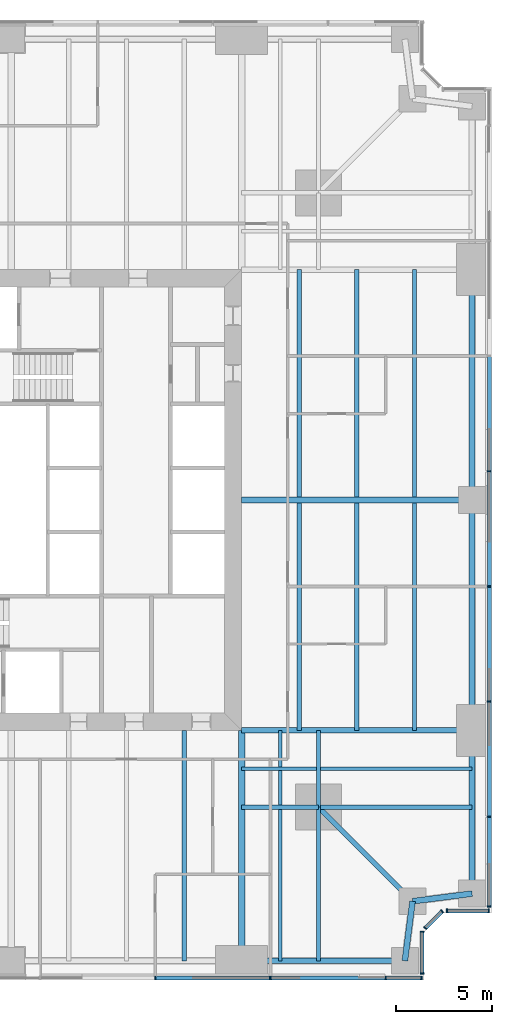
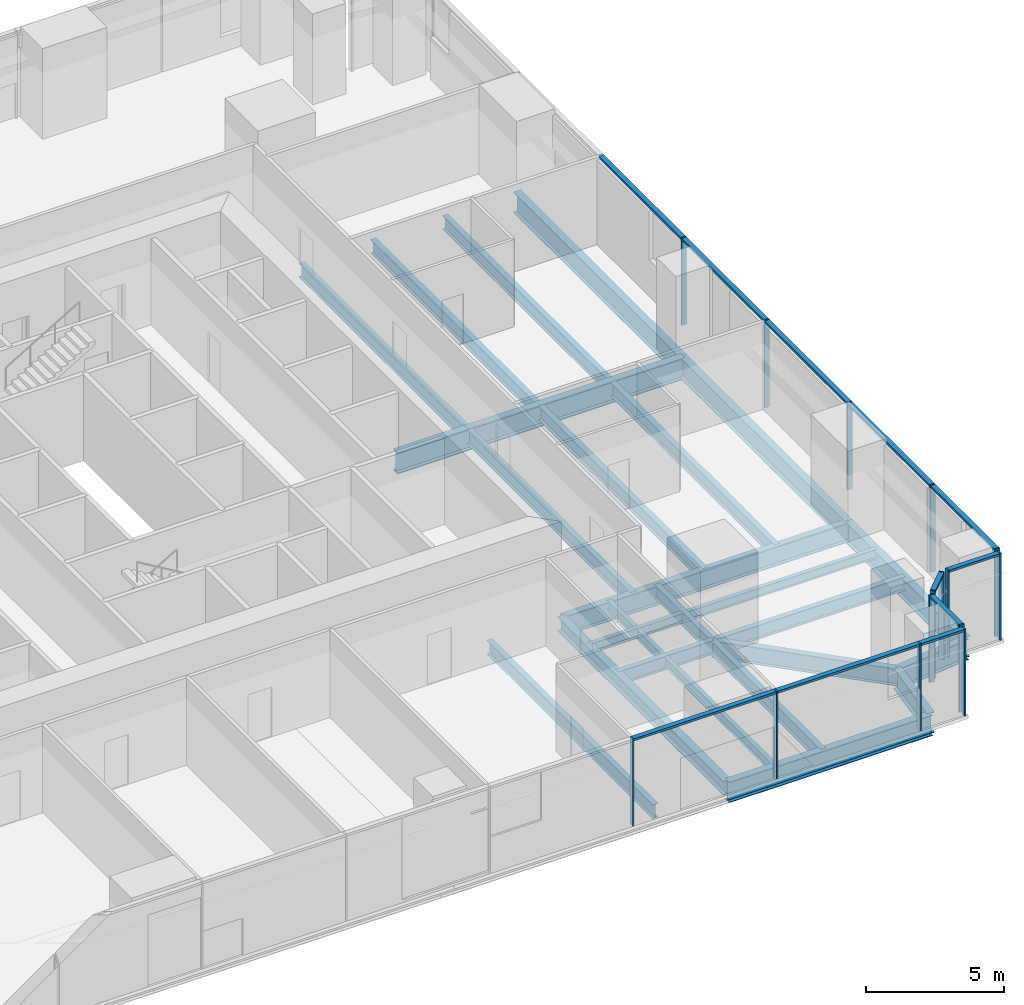
# One storey, part 5 of 14: 26 beams, 26 members, 5 elements without a shape of their own.
"""IFC4 building model written with IfcOpenShell, lengths in metres."""

from ifc_helpers import new_model, si_unit, direction, frame, origin, origin_2d, place, context, subcontext, project, spatial, rectangle, i_section, extrude, material, material_profile, profile_set, type_object, element, aggregate, save


model = new_model("IFC4")

# Units and contexts
model_context = context("Model", 3, precision=1e-05, world=origin(), true_north=direction((0.0, 1.0)))
body_context = subcontext(model_context, "Body", "Model", "MODEL_VIEW")
ifc_project = project(units=[si_unit("LENGTHUNIT", "METRE"), si_unit("AREAUNIT", "SQUARE_METRE"), si_unit("VOLUMEUNIT", "CUBIC_METRE"), si_unit("PLANEANGLEUNIT", "RADIAN"), si_unit("MASSUNIT", "GRAM", prefix="KILO")], contexts=[model_context])

# Site, building, storey
site_placement = place(None, origin())
site = spatial("IfcSite", under=ifc_project, at=site_placement, CompositionType="ELEMENT")
building_placement = place(site_placement, origin())
building = spatial("IfcBuilding", under=site, at=building_placement, Name="Fenwick Lantern Interchange", CompositionType="ELEMENT")
storey_placement = place(building_placement, frame((0.0, 0.0, 71.0)))
storey = spatial("IfcBuildingStorey", under=building, at=storey_placement, Name="L16", CompositionType="ELEMENT", Elevation=71.0)

# Beams
ifc_material_1 = material(Name="Steel ASTM A992 Grade 50", Category="steel")
ifc_material_profile_1 = material_profile(ifc_material_1, i_section(OverallWidth=0.3046875, OverallDepth=0.911865234375, WebThickness=0.015869140625, FlangeThickness=0.02392578125, at=origin_2d()), Name="W36X150")
ifc_profile_set_1 = profile_set([ifc_material_profile_1], Name="Steel ASTM A992 Grade 50")
beam_type_1 = type_object("IfcBeamType", Name="EDGE BEAM W36X150", PredefinedType="SPANDREL", material=ifc_profile_set_1)
beam_1_placement = place(storey_placement, frame((37.0, 1.0, -0.60595703125), z_axis=(1.0, 0.0, 0.0), x_axis=(0.0, 1.0, 0.0)))
element("IfcBeam", 1, at=beam_1_placement, inside=storey, type_object=beam_type_1, Name="L16/FR/S/EB4", PredefinedType="SPANDREL", context=body_context, shape_type="SweptSolid", body=[
    extrude(i_section(OverallWidth=0.3046875, OverallDepth=0.911865234375, WebThickness=0.015869140625, FlangeThickness=0.02392578125, at=origin_2d()), origin(), (0.0, 0.0, 1.0), 8.5),
])
for number, where, z_axis, x_axis, name in (
    (2, (45.5, 1.0, -0.60595703125), (0.127936641807, 0.991782342897, 0.0), (-0.991782342897, 0.127936641807, 0.0), "L16/FR/S/EBR1"),
    (3, (45.89990234375, 4.10009765625, -0.60595703125), (0.991782342897, 0.127936641807, 0.0), (-0.127936641807, 0.991782342897, 0.0), "L16/FR/S/EBR2"),
):
    element("IfcBeam", number, at=place(storey_placement, frame(where, z_axis=z_axis, x_axis=x_axis)), inside=storey, type_object=beam_type_1, Name=name, PredefinedType="SPANDREL", context=body_context, shape_type="SweptSolid", body=[
        extrude(i_section(OverallWidth=0.3046875, OverallDepth=0.911865234375, WebThickness=0.015869140625, FlangeThickness=0.02392578125, at=origin_2d()), origin(), (0.0, 0.0, 1.0), 3.125732421875),
    ])
beam_2_placement = place(storey_placement, frame((49.0, 4.5, -0.60595703125), z_axis=(0.0, 1.0, 0.0), x_axis=(-1.0, 0.0, 0.0)))
element("IfcBeam", 4, at=beam_2_placement, inside=storey, type_object=beam_type_1, Name="L16/FR/E/EB1", PredefinedType="SPANDREL", context=body_context, shape_type="SweptSolid", body=[
    extrude(i_section(OverallWidth=0.3046875, OverallDepth=0.911865234375, WebThickness=0.015869140625, FlangeThickness=0.02392578125, at=origin_2d()), origin(), (0.0, 0.0, 1.0), 8.5),
])
for number, where, z_axis, x_axis, name in (
    (5, (49.0, 13.0, -0.60595703125), (0.0, 1.0, 0.0), (-1.0, 0.0, 0.0), "L16/FR/E/EB2"),
    (6, (49.0, 25.0, -0.60595703125), (0.0, 1.0, 0.0), (-1.0, 0.0, 0.0), "L16/FR/E/EB3"),
):
    element("IfcBeam", number, at=place(storey_placement, frame(where, z_axis=z_axis, x_axis=x_axis)), inside=storey, type_object=beam_type_1, Name=name, PredefinedType="SPANDREL", context=body_context, shape_type="SweptSolid", body=[
        extrude(i_section(OverallWidth=0.3046875, OverallDepth=0.911865234375, WebThickness=0.015869140625, FlangeThickness=0.02392578125, at=origin_2d()), origin(), (0.0, 0.0, 1.0), 12.0),
    ])
ifc_material_profile_2 = material_profile(ifc_material_1, i_section(OverallWidth=0.22900390625, OverallDepth=0.612060546875, WebThickness=0.011962890625, FlangeThickness=0.01953125, at=origin_2d()), Name="W24X84")
ifc_profile_set_2 = profile_set([ifc_material_profile_2], Name="Steel ASTM A992 Grade 50")
beam_type_2 = type_object("IfcBeamType", Name="FLOOR BEAM W24X84", PredefinedType="BEAM", material=ifc_profile_set_2)
beam_3_placement = place(storey_placement, frame((34.0, 1.0, -0.4560546875), z_axis=(0.0, 1.0, 0.0), x_axis=(-1.0, 0.0, 0.0)))
element("IfcBeam", 7, at=beam_3_placement, inside=storey, type_object=beam_type_2, Name="L16/FR/S/R08", PredefinedType="BEAM", context=body_context, shape_type="SweptSolid", body=[
    extrude(i_section(OverallWidth=0.22900390625, OverallDepth=0.612060546875, WebThickness=0.011962890625, FlangeThickness=0.01953125, at=origin_2d()), origin(), (0.0, 0.0, 1.0), 12.0),
])
for number, where, z_axis, x_axis, name in (
    (8, (46.0, 13.0, -0.4560546875), (0.0, 1.0, 0.0), (-1.0, 0.0, 0.0), "L16/FR/E/B01"),
    (9, (43.0, 13.0, -0.4560546875), (0.0, 1.0, 0.0), (-1.0, 0.0, 0.0), "L16/FR/E/B02"),
    (10, (40.0, 13.0, -0.4560546875), (0.0, 1.0, 0.0), (-1.0, 0.0, 0.0), "L16/FR/E/B03"),
    (11, (46.0, 25.155029296875, -0.4560546875), (0.0, 1.0, 0.0), (-1.0, 0.0, 0.0), "L16/FR/E/B04"),
    (12, (43.0, 25.155029296875, -0.4560546875), (0.0, 1.0, 0.0), (-1.0, 0.0, 0.0), "L16/FR/E/B05"),
    (13, (40.0, 25.155029296875, -0.4560546875), (0.0, 1.0, 0.0), (-1.0, 0.0, 0.0), "L16/FR/E/B06"),
):
    element("IfcBeam", number, at=place(storey_placement, frame(where, z_axis=z_axis, x_axis=x_axis)), inside=storey, type_object=beam_type_2, Name=name, PredefinedType="BEAM", context=body_context, shape_type="SweptSolid", body=[
        extrude(i_section(OverallWidth=0.22900390625, OverallDepth=0.612060546875, WebThickness=0.011962890625, FlangeThickness=0.01953125, at=origin_2d()), origin(), (0.0, 0.0, 1.0), 11.844970703125),
    ])
ifc_material_profile_3 = material_profile(ifc_material_1, i_section(OverallWidth=0.177734375, OverallDepth=0.406494140625, WebThickness=0.0078125, FlangeThickness=0.012939453125, at=origin_2d()), Name="W16X40")
ifc_profile_set_3 = profile_set([ifc_material_profile_3], Name="Steel ASTM A992 Grade 50")
beam_type_3 = type_object("IfcBeamType", Name="INFILL BEAM W16X40", PredefinedType="JOIST", material=ifc_profile_set_3)
beam_4_placement = place(storey_placement, frame((49.0, 11.0, -0.353271484375), z_axis=(-1.0, 0.0, 0.0), x_axis=(0.0, -1.0, 0.0)))
element("IfcBeam", 14, at=beam_4_placement, inside=storey, type_object=beam_type_3, Name="L16/FR/E/J1", PredefinedType="JOIST", context=body_context, shape_type="SweptSolid", body=[
    extrude(i_section(OverallWidth=0.177734375, OverallDepth=0.406494140625, WebThickness=0.0078125, FlangeThickness=0.012939453125, at=origin_2d()), origin(), (0.0, 0.0, 1.0), 7.885498046875),
])
beam_5_placement = place(storey_placement, frame((40.885498046875, 11.0, -0.353271484375), z_axis=(-1.0, 0.0, 0.0), x_axis=(0.0, -1.0, 0.0)))
element("IfcBeam", 15, at=beam_5_placement, inside=storey, type_object=beam_type_3, Name="L16/FR/E/J2", PredefinedType="JOIST", context=body_context, shape_type="SweptSolid", body=[
    extrude(i_section(OverallWidth=0.177734375, OverallDepth=0.406494140625, WebThickness=0.0078125, FlangeThickness=0.012939453125, at=origin_2d()), origin(), (0.0, 0.0, 1.0), 3.885498046875),
])
beam_6_placement = place(storey_placement, frame((39.0, 1.0, -0.353271484375), z_axis=(0.0, 1.0, 0.0), x_axis=(-1.0, 0.0, 0.0)))
element("IfcBeam", 16, at=beam_6_placement, inside=storey, type_object=beam_type_3, Name="L16/FR/E/J3", PredefinedType="JOIST", context=body_context, shape_type="SweptSolid", body=[
    extrude(i_section(OverallWidth=0.177734375, OverallDepth=0.406494140625, WebThickness=0.0078125, FlangeThickness=0.012939453125, at=origin_2d()), origin(), (0.0, 0.0, 1.0), 7.885498046875),
])
beam_7_placement = place(storey_placement, frame((39.0, 9.114501953125, -0.353271484375), z_axis=(0.0, 1.0, 0.0), x_axis=(-1.0, 0.0, 0.0)))
element("IfcBeam", 17, at=beam_7_placement, inside=storey, type_object=beam_type_3, Name="L16/FR/E/J4", PredefinedType="JOIST", context=body_context, shape_type="SweptSolid", body=[
    extrude(i_section(OverallWidth=0.177734375, OverallDepth=0.406494140625, WebThickness=0.0078125, FlangeThickness=0.012939453125, at=origin_2d()), origin(), (0.0, 0.0, 1.0), 1.796630859375),
])
beam_8_placement = place(storey_placement, frame((39.0, 11.0888671875, -0.353271484375), z_axis=(0.0, 1.0, 0.0), x_axis=(-1.0, 0.0, 0.0)))
element("IfcBeam", 18, at=beam_8_placement, inside=storey, type_object=beam_type_3, Name="L16/FR/E/J5", PredefinedType="JOIST", context=body_context, shape_type="SweptSolid", body=[
    extrude(i_section(OverallWidth=0.177734375, OverallDepth=0.406494140625, WebThickness=0.0078125, FlangeThickness=0.012939453125, at=origin_2d()), origin(), (0.0, 0.0, 1.0), 1.9111328125),
])
ifc_material_profile_4 = material_profile(ifc_material_1, i_section(OverallWidth=0.22900390625, OverallDepth=0.612060546875, WebThickness=0.011962890625, FlangeThickness=0.01953125, at=origin_2d()), Name="W24X84")
ifc_profile_set_4 = profile_set([ifc_material_profile_4], Name="Steel ASTM A992 Grade 50")
beam_type_4 = type_object("IfcBeamType", Name="MEGA COLUMN BEAM W24X84", PredefinedType="BEAM", material=ifc_profile_set_4)
for number, where, z_axis, x_axis, name in (
    (19, (41.0, 9.0, -0.4560546875), (1.0, 0.0, 0.0), (0.0, 1.0, 0.0), "L16/FR/E/MB1"),
    (20, (41.0, 9.0, -0.4560546875), (0.0, -1.0, 0.0), (1.0, 0.0, 0.0), "L16/FR/E/MB2"),
):
    element("IfcBeam", number, at=place(storey_placement, frame(where, z_axis=z_axis, x_axis=x_axis)), inside=storey, type_object=beam_type_4, Name=name, PredefinedType="BEAM", context=body_context, shape_type="SweptSolid", body=[
        extrude(i_section(OverallWidth=0.22900390625, OverallDepth=0.612060546875, WebThickness=0.011962890625, FlangeThickness=0.01953125, at=origin_2d()), origin(), (0.0, 0.0, 1.0), 8.0),
    ])
for number, where, z_axis, x_axis, name in (
    (21, (41.0, 9.0, -0.4560546875), (0.0, 1.0, 0.0), (-1.0, 0.0, 0.0), "L16/FR/E/MB3"),
    (22, (41.0, 9.0, -0.4560546875), (-1.0, 0.0, 0.0), (0.0, -1.0, 0.0), "L16/FR/E/MB4"),
):
    element("IfcBeam", number, at=place(storey_placement, frame(where, z_axis=z_axis, x_axis=x_axis)), inside=storey, type_object=beam_type_4, Name=name, PredefinedType="BEAM", context=body_context, shape_type="SweptSolid", body=[
        extrude(i_section(OverallWidth=0.22900390625, OverallDepth=0.612060546875, WebThickness=0.011962890625, FlangeThickness=0.01953125, at=origin_2d()), origin(), (0.0, 0.0, 1.0), 4.0),
    ])
ifc_material_profile_5 = material_profile(ifc_material_1, i_section(OverallWidth=0.32763671875, OverallDepth=0.622314453125, WebThickness=0.015380859375, FlangeThickness=0.0244140625, at=origin_2d()), Name="W24X131")
ifc_profile_set_5 = profile_set([ifc_material_profile_5], Name="Steel ASTM A992 Grade 50")
beam_type_5 = type_object("IfcBeamType", Name="MOMENT-CONNECTED GIRDER W24X131", PredefinedType="BEAM", material=ifc_profile_set_5)
beam_9_placement = place(storey_placement, frame((37.0, 1.0, -0.461181640625), z_axis=(0.0, 1.0, 0.0), x_axis=(-1.0, 0.0, 0.0)))
element("IfcBeam", 23, at=beam_9_placement, inside=storey, type_object=beam_type_5, Name="L16/FR/S/R09", PredefinedType="BEAM", context=body_context, shape_type="SweptSolid", body=[
    extrude(i_section(OverallWidth=0.32763671875, OverallDepth=0.622314453125, WebThickness=0.015380859375, FlangeThickness=0.0244140625, at=origin_2d()), origin(), (0.0, 0.0, 1.0), 12.0),
])
ifc_material_profile_6 = material_profile(ifc_material_1, i_section(OverallWidth=0.2919921875, OverallDepth=0.845703125, WebThickness=0.015380859375, FlangeThickness=0.0244140625, at=origin_2d()), Name="W33X141")
ifc_profile_set_6 = profile_set([ifc_material_profile_6], Name="Steel ASTM A992 Grade 50")
beam_type_6 = type_object("IfcBeamType", Name="MOMENT-CONNECTED GIRDER W33X141", PredefinedType="BEAM", material=ifc_profile_set_6)
beam_10_placement = place(storey_placement, frame((49.0, 13.0, -0.572998046875), z_axis=(-1.0, 0.0, 0.0), x_axis=(0.0, -1.0, 0.0)))
element("IfcBeam", 24, at=beam_10_placement, inside=storey, type_object=beam_type_6, Name="L16/FR/E/R01", PredefinedType="BEAM", context=body_context, shape_type="SweptSolid", body=[
    extrude(i_section(OverallWidth=0.2919921875, OverallDepth=0.845703125, WebThickness=0.015380859375, FlangeThickness=0.0244140625, at=origin_2d()), origin(), (0.0, 0.0, 1.0), 12.0),
])
ifc_material_profile_7 = material_profile(ifc_material_1, i_section(OverallWidth=0.309814453125, OverallDepth=0.949951171875, WebThickness=0.0244140625, FlangeThickness=0.0439453125, at=origin_2d()), Name="W36X256")
ifc_profile_set_7 = profile_set([ifc_material_profile_7], Name="Steel ASTM A992 Grade 50")
beam_type_7 = type_object("IfcBeamType", Name="MOMENT-CONNECTED GIRDER W36X256", PredefinedType="BEAM", material=ifc_profile_set_7)
beam_11_placement = place(storey_placement, frame((49.0, 25.0, -0.625), z_axis=(-1.0, 0.0, 0.0), x_axis=(0.0, -1.0, 0.0)))
element("IfcBeam", 25, at=beam_11_placement, inside=storey, type_object=beam_type_7, Name="L16/FR/E/R02", PredefinedType="BEAM", context=body_context, shape_type="SweptSolid", body=[
    extrude(i_section(OverallWidth=0.309814453125, OverallDepth=0.949951171875, WebThickness=0.0244140625, FlangeThickness=0.0439453125, at=origin_2d()), origin(), (0.0, 0.0, 1.0), 12.0),
])
ifc_material_profile_8 = material_profile(ifc_material_1, i_section(OverallWidth=0.2666015625, OverallDepth=0.7568359375, WebThickness=0.013916015625, FlangeThickness=0.019287109375, at=origin_2d()), Name="W30X108")
ifc_profile_set_8 = profile_set([ifc_material_profile_8], Name="Steel ASTM A992 Grade 50")
beam_type_8 = type_object("IfcBeamType", Name="NOTCH BEAM W30X108", PredefinedType="BEAM", material=ifc_profile_set_8)
beam_12_placement = place(storey_placement, frame((41.0, 9.0, -0.528564453125), z_axis=(0.707106781187, -0.707106781187, 0.0), x_axis=(0.707106781187, 0.707106781187, 0.0)))
element("IfcBeam", 26, at=beam_12_placement, inside=storey, type_object=beam_type_8, Name="L16/FR/E/TG", PredefinedType="BEAM", context=body_context, shape_type="SweptSolid", body=[
    extrude(i_section(OverallWidth=0.2666015625, OverallDepth=0.7568359375, WebThickness=0.013916015625, FlangeThickness=0.019287109375, at=origin_2d()), origin(), (0.0, 0.0, 1.0), 6.929443359375),
])

# Curtain wall, members
ifc_material_2 = material(Name="Aluminium curtain wall frame", Category="aluminium")
curtain_wall_type = type_object("IfcCurtainWallType", Name="OFFICE CURTAIN WALL", PredefinedType="USERDEFINED", material=ifc_material_2)
curtain_wall_1_placement = place(storey_placement, origin())
curtain_wall_1 = element("IfcCurtainWall", 27, at=curtain_wall_1_placement, inside=storey, type_object=curtain_wall_type, Name="Office curtain wall 01", ObjectType="OFFICE CURTAIN WALL", PredefinedType="USERDEFINED")
ifc_material_3 = material(Name="Aluminium extrusion", Category="aluminium")
ifc_material_profile_9 = material_profile(ifc_material_3, rectangle(XDim=0.199951171875, YDim=0.06494140625, at=origin_2d()), Name="OFFICE CURTAIN WALL MULLION 65 X 200")
ifc_profile_set_9 = profile_set([ifc_material_profile_9], Name="Aluminium extrusion")
member_type_1 = type_object("IfcMemberType", Name="OFFICE CURTAIN WALL MULLION 65 X 200", PredefinedType="MULLION", material=ifc_profile_set_9)
member_1_placement = place(storey_placement, frame((32.5, 0.10009765625, 0.0), z_axis=(0.0, 0.0, 1.0), x_axis=(0.0, 1.0, 0.0)))
member_1 = element("IfcMember", 28, at=member_1_placement, type_object=member_type_1, Name="L16/CW/01/M05", PredefinedType="MULLION", context=body_context, shape_type="SweptSolid", body=[
    extrude(rectangle(XDim=0.199951171875, YDim=0.06494140625, at=origin_2d()), origin(), (0.0, 0.0, 1.0), 3.85009765625),
])
member_2_placement = place(storey_placement, frame((38.5, 0.10009765625, 0.0), z_axis=(0.0, 0.0, 1.0), x_axis=(0.0, 1.0, 0.0)))
member_2 = element("IfcMember", 29, at=member_2_placement, type_object=member_type_1, Name="L16/CW/01/M06", PredefinedType="MULLION", context=body_context, shape_type="SweptSolid", body=[
    extrude(rectangle(XDim=0.199951171875, YDim=0.06494140625, at=origin_2d()), origin(), (0.0, 0.0, 1.0), 3.85009765625),
])
member_3_placement = place(storey_placement, frame((44.5, 0.10009765625, 0.0), z_axis=(0.0, 0.0, 1.0), x_axis=(0.0, 1.0, 0.0)))
member_3 = element("IfcMember", 30, at=member_3_placement, type_object=member_type_1, Name="L16/CW/01/M07", PredefinedType="MULLION", context=body_context, shape_type="SweptSolid", body=[
    extrude(rectangle(XDim=0.199951171875, YDim=0.06494140625, at=origin_2d()), origin(), (0.0, 0.0, 1.0), 3.85009765625),
])
member_4_placement = place(storey_placement, frame((46.367431640625, 0.10009765625, 0.0), z_axis=(0.0, 0.0, 1.0), x_axis=(0.0, 1.0, 0.0)))
member_4 = element("IfcMember", 31, at=member_4_placement, type_object=member_type_1, Name="L16/CW/01/M08", PredefinedType="MULLION", context=body_context, shape_type="SweptSolid", body=[
    extrude(rectangle(XDim=0.199951171875, YDim=0.06494140625, at=origin_2d()), origin(), (0.0, 0.0, 1.0), 3.85009765625),
])

curtain_wall_2_placement = place(storey_placement, origin())
curtain_wall_2 = element("IfcCurtainWall", 32, at=curtain_wall_2_placement, inside=storey, type_object=curtain_wall_type, Name="Office curtain wall 02", ObjectType="OFFICE CURTAIN WALL", PredefinedType="USERDEFINED")
member_5_placement = place(storey_placement, frame((46.39990234375, 0.33251953125, 0.0), z_axis=(0.0, 0.0, 1.0), x_axis=(-1.0, 0.0, 0.0)))
member_5 = element("IfcMember", 33, at=member_5_placement, type_object=member_type_1, Name="L16/CW/02/M00", PredefinedType="MULLION", context=body_context, shape_type="SweptSolid", body=[
    extrude(rectangle(XDim=0.199951171875, YDim=0.06494140625, at=origin_2d()), origin(), (0.0, 0.0, 1.0), 3.85009765625),
])
member_6_placement = place(storey_placement, frame((46.39990234375, 2.509033203125, 0.0), z_axis=(0.0, 0.0, 1.0), x_axis=(-1.0, 0.0, 0.0)))
member_6 = element("IfcMember", 34, at=member_6_placement, type_object=member_type_1, Name="L16/CW/02/M01", PredefinedType="MULLION", context=body_context, shape_type="SweptSolid", body=[
    extrude(rectangle(XDim=0.199951171875, YDim=0.06494140625, at=origin_2d()), origin(), (0.0, 0.0, 1.0), 3.85009765625),
])

curtain_wall_3_placement = place(storey_placement, origin())
curtain_wall_3 = element("IfcCurtainWall", 35, at=curtain_wall_3_placement, inside=storey, type_object=curtain_wall_type, Name="Office curtain wall 03", ObjectType="OFFICE CURTAIN WALL", PredefinedType="USERDEFINED")
member_7_placement = place(storey_placement, frame((46.564453125, 2.705810546875, 0.0), z_axis=(0.0, 0.0, 1.0), x_axis=(-0.707106781187, 0.707106781187, 0.0)))
member_7 = element("IfcMember", 36, at=member_7_placement, type_object=member_type_1, Name="L16/CW/03/M00", PredefinedType="MULLION", context=body_context, shape_type="SweptSolid", body=[
    extrude(rectangle(XDim=0.199951171875, YDim=0.06494140625, at=origin_2d()), origin(), (0.0, 0.0, 1.0), 3.85009765625),
])
member_8_placement = place(storey_placement, frame((47.435546875, 3.576904296875, 0.0), z_axis=(0.0, 0.0, 1.0), x_axis=(-0.707106781187, 0.707106781187, 0.0)))
member_8 = element("IfcMember", 37, at=member_8_placement, type_object=member_type_1, Name="L16/CW/03/M01", PredefinedType="MULLION", context=body_context, shape_type="SweptSolid", body=[
    extrude(rectangle(XDim=0.199951171875, YDim=0.06494140625, at=origin_2d()), origin(), (0.0, 0.0, 1.0), 3.85009765625),
])

curtain_wall_4_placement = place(storey_placement, origin())
curtain_wall_4 = element("IfcCurtainWall", 38, at=curtain_wall_4_placement, inside=storey, type_object=curtain_wall_type, Name="Office curtain wall 04", ObjectType="OFFICE CURTAIN WALL", PredefinedType="USERDEFINED")
member_9_placement = place(storey_placement, frame((47.691162109375, 3.60009765625, 0.0), z_axis=(0.0, 0.0, 1.0), x_axis=(0.0, 1.0, 0.0)))
member_9 = element("IfcMember", 39, at=member_9_placement, type_object=member_type_1, Name="L16/CW/04/M00", PredefinedType="MULLION", context=body_context, shape_type="SweptSolid", body=[
    extrude(rectangle(XDim=0.199951171875, YDim=0.06494140625, at=origin_2d()), origin(), (0.0, 0.0, 1.0), 3.85009765625),
])
member_10_placement = place(storey_placement, frame((49.867431640625, 3.60009765625, 0.0), z_axis=(0.0, 0.0, 1.0), x_axis=(0.0, 1.0, 0.0)))
member_10 = element("IfcMember", 40, at=member_10_placement, type_object=member_type_1, Name="L16/CW/04/M01", PredefinedType="MULLION", context=body_context, shape_type="SweptSolid", body=[
    extrude(rectangle(XDim=0.199951171875, YDim=0.06494140625, at=origin_2d()), origin(), (0.0, 0.0, 1.0), 3.85009765625),
])

curtain_wall_5_placement = place(storey_placement, origin())
curtain_wall_5 = element("IfcCurtainWall", 41, at=curtain_wall_5_placement, inside=storey, type_object=curtain_wall_type, Name="Office curtain wall 05", ObjectType="OFFICE CURTAIN WALL", PredefinedType="USERDEFINED")
member_11_placement = place(storey_placement, frame((49.89990234375, 3.83251953125, 0.0), z_axis=(0.0, 0.0, 1.0), x_axis=(-1.0, 0.0, 0.0)))
member_11 = element("IfcMember", 42, at=member_11_placement, type_object=member_type_1, Name="L16/CW/05/M00", PredefinedType="MULLION", context=body_context, shape_type="SweptSolid", body=[
    extrude(rectangle(XDim=0.199951171875, YDim=0.06494140625, at=origin_2d()), origin(), (0.0, 0.0, 1.0), 3.85009765625),
])
member_12_placement = place(storey_placement, frame((49.89990234375, 8.5, 0.0), z_axis=(0.0, 0.0, 1.0), x_axis=(-1.0, 0.0, 0.0)))
member_12 = element("IfcMember", 43, at=member_12_placement, type_object=member_type_1, Name="L16/CW/05/M01", PredefinedType="MULLION", context=body_context, shape_type="SweptSolid", body=[
    extrude(rectangle(XDim=0.199951171875, YDim=0.06494140625, at=origin_2d()), origin(), (0.0, 0.0, 1.0), 3.85009765625),
])
member_13_placement = place(storey_placement, frame((49.89990234375, 14.5, 0.0), z_axis=(0.0, 0.0, 1.0), x_axis=(-1.0, 0.0, 0.0)))
member_13 = element("IfcMember", 44, at=member_13_placement, type_object=member_type_1, Name="L16/CW/05/M02", PredefinedType="MULLION", context=body_context, shape_type="SweptSolid", body=[
    extrude(rectangle(XDim=0.199951171875, YDim=0.06494140625, at=origin_2d()), origin(), (0.0, 0.0, 1.0), 3.85009765625),
])
member_14_placement = place(storey_placement, frame((49.89990234375, 20.5, 0.0), z_axis=(0.0, 0.0, 1.0), x_axis=(-1.0, 0.0, 0.0)))
member_14 = element("IfcMember", 45, at=member_14_placement, type_object=member_type_1, Name="L16/CW/05/M03", PredefinedType="MULLION", context=body_context, shape_type="SweptSolid", body=[
    extrude(rectangle(XDim=0.199951171875, YDim=0.06494140625, at=origin_2d()), origin(), (0.0, 0.0, 1.0), 3.85009765625),
])
member_15_placement = place(storey_placement, frame((49.89990234375, 26.5, 0.0), z_axis=(0.0, 0.0, 1.0), x_axis=(-1.0, 0.0, 0.0)))
member_15 = element("IfcMember", 46, at=member_15_placement, type_object=member_type_1, Name="L16/CW/05/M04", PredefinedType="MULLION", context=body_context, shape_type="SweptSolid", body=[
    extrude(rectangle(XDim=0.199951171875, YDim=0.06494140625, at=origin_2d()), origin(), (0.0, 0.0, 1.0), 3.85009765625),
])

# Member
ifc_material_profile_10 = material_profile(ifc_material_3, rectangle(XDim=0.199951171875, YDim=0.10009765625, at=origin_2d()), Name="OFFICE CURTAIN WALL TRANSOM 100 X 200")
ifc_profile_set_10 = profile_set([ifc_material_profile_10], Name="Aluminium extrusion")
member_type_2 = type_object("IfcMemberType", Name="OFFICE CURTAIN WALL TRANSOM 100 X 200", PredefinedType="MULLION", material=ifc_profile_set_10)
member_16_placement = place(storey_placement, frame((32.532470703125, 0.10009765625, 3.800048828125), z_axis=(1.0, 0.0, 0.0), x_axis=(0.0, 1.0, 0.0)))
member_16 = element("IfcMember", 47, at=member_16_placement, type_object=member_type_2, Name="L16/CW/01/T05", PredefinedType="MULLION", context=body_context, shape_type="SweptSolid", body=[
    extrude(rectangle(XDim=0.199951171875, YDim=0.10009765625, at=origin_2d()), origin(), (0.0, 0.0, 1.0), 5.93505859375),
])

member_17_placement = place(storey_placement, frame((38.532470703125, 0.10009765625, 3.800048828125), z_axis=(1.0, 0.0, 0.0), x_axis=(0.0, 1.0, 0.0)))
member_17 = element("IfcMember", 48, at=member_17_placement, type_object=member_type_2, Name="L16/CW/01/T06", PredefinedType="MULLION", context=body_context, shape_type="SweptSolid", body=[
    extrude(rectangle(XDim=0.199951171875, YDim=0.10009765625, at=origin_2d()), origin(), (0.0, 0.0, 1.0), 5.93505859375),
])

member_18_placement = place(storey_placement, frame((44.532470703125, 0.10009765625, 3.800048828125), z_axis=(1.0, 0.0, 0.0), x_axis=(0.0, 1.0, 0.0)))
member_18 = element("IfcMember", 49, at=member_18_placement, type_object=member_type_2, Name="L16/CW/01/T07", PredefinedType="MULLION", context=body_context, shape_type="SweptSolid", body=[
    extrude(rectangle(XDim=0.199951171875, YDim=0.10009765625, at=origin_2d()), origin(), (0.0, 0.0, 1.0), 1.802490234375),
])

aggregate(curtain_wall_1, [member_1, member_2, member_3, member_4, member_16, member_17, member_18])

member_19_placement = place(storey_placement, frame((46.39990234375, 0.364990234375, 3.800048828125), z_axis=(0.0, 1.0, 0.0), x_axis=(-1.0, 0.0, 0.0)))
member_19 = element("IfcMember", 50, at=member_19_placement, type_object=member_type_2, Name="L16/CW/02/T00", PredefinedType="MULLION", context=body_context, shape_type="SweptSolid", body=[
    extrude(rectangle(XDim=0.199951171875, YDim=0.10009765625, at=origin_2d()), origin(), (0.0, 0.0, 1.0), 2.111328125),
])

aggregate(curtain_wall_2, [member_5, member_6, member_19])

member_20_placement = place(storey_placement, frame((46.58740234375, 2.728759765625, 3.800048828125), z_axis=(0.707106781187, 0.707106781187, 0.0), x_axis=(-0.707106781187, 0.707106781187, 0.0)))
member_20 = element("IfcMember", 51, at=member_20_placement, type_object=member_type_2, Name="L16/CW/03/T00", PredefinedType="MULLION", context=body_context, shape_type="SweptSolid", body=[
    extrude(rectangle(XDim=0.199951171875, YDim=0.10009765625, at=origin_2d()), origin(), (0.0, 0.0, 1.0), 1.1669921875),
])

aggregate(curtain_wall_3, [member_7, member_8, member_20])

member_21_placement = place(storey_placement, frame((47.7236328125, 3.60009765625, 3.800048828125), z_axis=(1.0, 0.0, 0.0), x_axis=(0.0, 1.0, 0.0)))
member_21 = element("IfcMember", 52, at=member_21_placement, type_object=member_type_2, Name="L16/CW/04/T00", PredefinedType="MULLION", context=body_context, shape_type="SweptSolid", body=[
    extrude(rectangle(XDim=0.199951171875, YDim=0.10009765625, at=origin_2d()), origin(), (0.0, 0.0, 1.0), 2.111328125),
])

aggregate(curtain_wall_4, [member_9, member_10, member_21])

member_22_placement = place(storey_placement, frame((49.89990234375, 3.864990234375, 3.800048828125), z_axis=(0.0, 1.0, 0.0), x_axis=(-1.0, 0.0, 0.0)))
member_22 = element("IfcMember", 53, at=member_22_placement, type_object=member_type_2, Name="L16/CW/05/T00", PredefinedType="MULLION", context=body_context, shape_type="SweptSolid", body=[
    extrude(rectangle(XDim=0.199951171875, YDim=0.10009765625, at=origin_2d()), origin(), (0.0, 0.0, 1.0), 4.6025390625),
])

member_23_placement = place(storey_placement, frame((49.89990234375, 8.532470703125, 3.800048828125), z_axis=(0.0, 1.0, 0.0), x_axis=(-1.0, 0.0, 0.0)))
member_23 = element("IfcMember", 54, at=member_23_placement, type_object=member_type_2, Name="L16/CW/05/T01", PredefinedType="MULLION", context=body_context, shape_type="SweptSolid", body=[
    extrude(rectangle(XDim=0.199951171875, YDim=0.10009765625, at=origin_2d()), origin(), (0.0, 0.0, 1.0), 5.93505859375),
])

member_24_placement = place(storey_placement, frame((49.89990234375, 14.532470703125, 3.800048828125), z_axis=(0.0, 1.0, 0.0), x_axis=(-1.0, 0.0, 0.0)))
member_24 = element("IfcMember", 55, at=member_24_placement, type_object=member_type_2, Name="L16/CW/05/T02", PredefinedType="MULLION", context=body_context, shape_type="SweptSolid", body=[
    extrude(rectangle(XDim=0.199951171875, YDim=0.10009765625, at=origin_2d()), origin(), (0.0, 0.0, 1.0), 5.93505859375),
])

member_25_placement = place(storey_placement, frame((49.89990234375, 20.532470703125, 3.800048828125), z_axis=(0.0, 1.0, 0.0), x_axis=(-1.0, 0.0, 0.0)))
member_25 = element("IfcMember", 56, at=member_25_placement, type_object=member_type_2, Name="L16/CW/05/T03", PredefinedType="MULLION", context=body_context, shape_type="SweptSolid", body=[
    extrude(rectangle(XDim=0.199951171875, YDim=0.10009765625, at=origin_2d()), origin(), (0.0, 0.0, 1.0), 5.93505859375),
])

member_26_placement = place(storey_placement, frame((49.89990234375, 26.532470703125, 3.800048828125), z_axis=(0.0, 1.0, 0.0), x_axis=(-1.0, 0.0, 0.0)))
member_26 = element("IfcMember", 57, at=member_26_placement, type_object=member_type_2, Name="L16/CW/05/T04", PredefinedType="MULLION", context=body_context, shape_type="SweptSolid", body=[
    extrude(rectangle(XDim=0.199951171875, YDim=0.10009765625, at=origin_2d()), origin(), (0.0, 0.0, 1.0), 5.93505859375),
])

aggregate(curtain_wall_5, [member_11, member_12, member_13, member_14, member_15, member_22, member_23, member_24, member_25, member_26])

save(model, "model.ifc")
